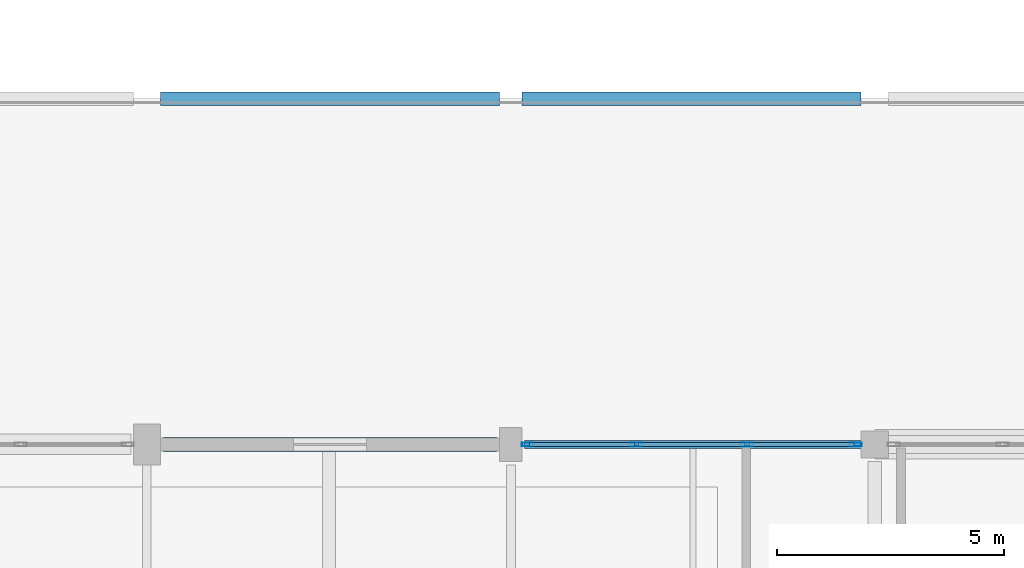
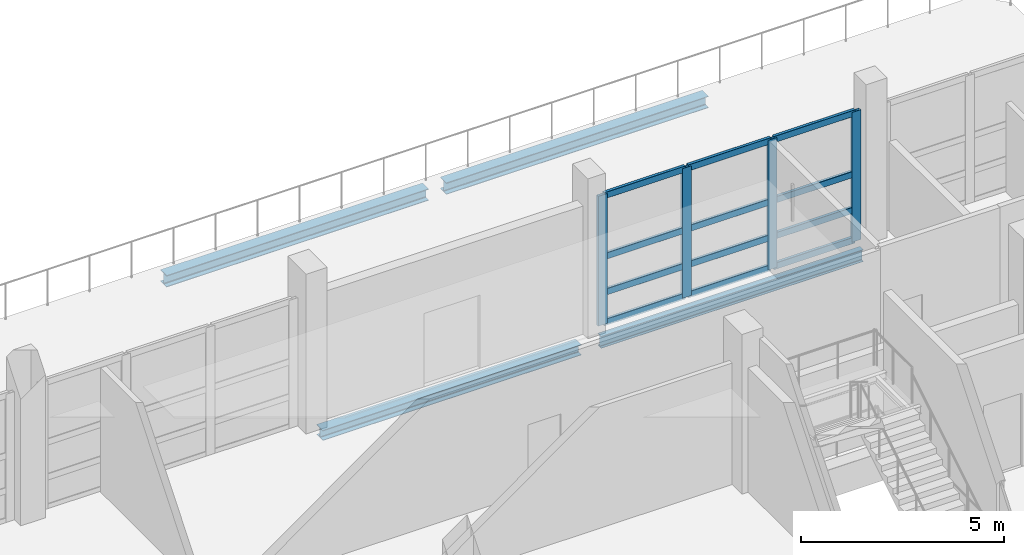
# One storey, part 32 of 147: 16 members, 4 beams, 1 element without a shape of its own.
"""IFC4 building model written with IfcOpenShell, lengths in metres."""

from ifc_helpers import new_model, si_unit, direction, frame, origin, origin_2d, place, context, subcontext, project, spatial, hollow_rectangle, i_section, extrude, material, material_profile, profile_set, type_object, element, aggregate, save


model = new_model("IFC4")

# Units and contexts
model_context = context("Model", 3, precision=1e-05, world=origin(), true_north=direction((0.0, 1.0)))
body_context = subcontext(model_context, "Body", "Model", "MODEL_VIEW")
ifc_project = project(units=[si_unit("LENGTHUNIT", "METRE"), si_unit("AREAUNIT", "SQUARE_METRE"), si_unit("VOLUMEUNIT", "CUBIC_METRE"), si_unit("PLANEANGLEUNIT", "RADIAN"), si_unit("MASSUNIT", "GRAM", prefix="KILO")], contexts=[model_context])

# Site, building, storey
site_placement = place(None, origin())
site = spatial("IfcSite", under=ifc_project, at=site_placement, CompositionType="ELEMENT")
building_placement = place(site_placement, origin())
building = spatial("IfcBuilding", under=site, at=building_placement, Name="Khelvaren Railside Concert Hall", CompositionType="ELEMENT")
storey_placement = place(building_placement, frame((0.0, 0.0, 5.39990234375)))
storey = spatial("IfcBuildingStorey", under=building, at=storey_placement, Name="L01", CompositionType="ELEMENT", Elevation=5.39990234375)

# Curtain wall, members
ifc_material_1 = material(Name="Acoustic laminated crystal facade glass", Category="glass")
curtain_wall_type = type_object("IfcCurtainWallType", Name="CW54", PredefinedType="USERDEFINED", material=ifc_material_1)
curtain_wall_placement = place(storey_placement, origin())
curtain_wall = element("IfcCurtainWall", 1, at=curtain_wall_placement, inside=storey, type_object=curtain_wall_type, Name="Unitised Curtain Wall CW-V3-L01-N-120", ObjectType="UNITISED CURTAIN WALL", PredefinedType="USERDEFINED")
ifc_material_2 = material(Name="Anodised architectural aluminium 6063-T6", Category="aluminium")
ifc_material_profile_1 = material_profile(ifc_material_2, hollow_rectangle(XDim=0.0849609375, YDim=0.260009765625, WallThickness=0.0048828125, InnerFilletRadius=0.0029296875, OuterFilletRadius=0.0048828125, at=origin_2d()), Name="CWM 85x260x5")
ifc_profile_set_1 = profile_set([ifc_material_profile_1], Name="Anodised architectural aluminium 6063-T6")
member_type_1 = type_object("IfcMemberType", Name="CWM40", PredefinedType="MULLION", material=ifc_profile_set_1)
member_1_placement = place(storey_placement, frame((120.3701171875, 15.199951171875, 0.0), z_axis=(0.0, 0.0, 1.0), x_axis=(0.0, 1.0, 0.0)))
member_1 = element("IfcMember", 2, at=member_1_placement, type_object=member_type_1, Name="CW54 mullion 1", PredefinedType="MULLION", context=body_context, shape_type="SweptSolid", body=[
    extrude(hollow_rectangle(XDim=0.0849609375, YDim=0.260009765625, WallThickness=0.0048828125, InnerFilletRadius=0.0029296875, OuterFilletRadius=0.0048828125, at=origin_2d()), origin(), (0.0, 0.0, 1.0), 3.900146484375),
])
member_2_placement = place(storey_placement, frame((122.75927734375, 15.199951171875, 0.0), z_axis=(0.0, 0.0, 1.0), x_axis=(0.0, 1.0, 0.0)))
member_2 = element("IfcMember", 3, at=member_2_placement, type_object=member_type_1, Name="CW54 mullion 2", PredefinedType="MULLION", context=body_context, shape_type="SweptSolid", body=[
    extrude(hollow_rectangle(XDim=0.0849609375, YDim=0.260009765625, WallThickness=0.0048828125, InnerFilletRadius=0.0029296875, OuterFilletRadius=0.0048828125, at=origin_2d()), origin(), (0.0, 0.0, 1.0), 3.900146484375),
])
member_3_placement = place(storey_placement, frame((125.19091796875, 15.199951171875, 0.0), z_axis=(0.0, 0.0, 1.0), x_axis=(0.0, 1.0, 0.0)))
member_3 = element("IfcMember", 4, at=member_3_placement, type_object=member_type_1, Name="CW54 mullion 3", PredefinedType="MULLION", context=body_context, shape_type="SweptSolid", body=[
    extrude(hollow_rectangle(XDim=0.0849609375, YDim=0.260009765625, WallThickness=0.0048828125, InnerFilletRadius=0.0029296875, OuterFilletRadius=0.0048828125, at=origin_2d()), origin(), (0.0, 0.0, 1.0), 3.900146484375),
])
member_4_placement = place(storey_placement, frame((127.580078125, 15.199951171875, 0.0), z_axis=(0.0, 0.0, 1.0), x_axis=(0.0, 1.0, 0.0)))
member_4 = element("IfcMember", 5, at=member_4_placement, type_object=member_type_1, Name="CW54 mullion 4", PredefinedType="MULLION", context=body_context, shape_type="SweptSolid", body=[
    extrude(hollow_rectangle(XDim=0.0849609375, YDim=0.260009765625, WallThickness=0.0048828125, InnerFilletRadius=0.0029296875, OuterFilletRadius=0.0048828125, at=origin_2d()), origin(), (0.0, 0.0, 1.0), 3.900146484375),
])
ifc_material_profile_2 = material_profile(ifc_material_2, hollow_rectangle(XDim=0.0849609375, YDim=0.18994140625, WallThickness=0.0048828125, InnerFilletRadius=0.0029296875, OuterFilletRadius=0.0048828125, at=origin_2d()), Name="CWT 85x190x5")
ifc_profile_set_2 = profile_set([ifc_material_profile_2], Name="Anodised architectural aluminium 6063-T6")
member_type_2 = type_object("IfcMemberType", Name="CWT31", PredefinedType="USERDEFINED", material=ifc_profile_set_2)
member_5_placement = place(storey_placement, frame((120.41259765625, 15.199951171875, 0.04248046875), z_axis=(1.0, 0.0, 0.0), x_axis=(0.0, 1.0, 0.0)))
member_5 = element("IfcMember", 6, at=member_5_placement, type_object=member_type_2, Name="CW54 transom 1.1", ObjectType="TRANSOM", PredefinedType="USERDEFINED", context=body_context, shape_type="SweptSolid", body=[
    extrude(hollow_rectangle(XDim=0.0849609375, YDim=0.18994140625, WallThickness=0.0048828125, InnerFilletRadius=0.0029296875, OuterFilletRadius=0.0048828125, at=origin_2d()), origin(), (0.0, 0.0, 1.0), 2.303955078125),
])
member_6_placement = place(storey_placement, frame((120.41259765625, 15.199951171875, 0.9501953125), z_axis=(1.0, 0.0, 0.0), x_axis=(0.0, 1.0, 0.0)))
member_6 = element("IfcMember", 7, at=member_6_placement, type_object=member_type_2, Name="CW54 transom 1.2", ObjectType="TRANSOM", PredefinedType="USERDEFINED", context=body_context, shape_type="SweptSolid", body=[
    extrude(hollow_rectangle(XDim=0.0849609375, YDim=0.18994140625, WallThickness=0.0048828125, InnerFilletRadius=0.0029296875, OuterFilletRadius=0.0048828125, at=origin_2d()), origin(), (0.0, 0.0, 1.0), 2.303955078125),
])
member_7_placement = place(storey_placement, frame((120.41259765625, 15.199951171875, 2.028076171875), z_axis=(1.0, 0.0, 0.0), x_axis=(0.0, 1.0, 0.0)))
member_7 = element("IfcMember", 8, at=member_7_placement, type_object=member_type_2, Name="CW54 transom 1.3", ObjectType="TRANSOM", PredefinedType="USERDEFINED", context=body_context, shape_type="SweptSolid", body=[
    extrude(hollow_rectangle(XDim=0.0849609375, YDim=0.18994140625, WallThickness=0.0048828125, InnerFilletRadius=0.0029296875, OuterFilletRadius=0.0048828125, at=origin_2d()), origin(), (0.0, 0.0, 1.0), 2.303955078125),
])
member_8_placement = place(storey_placement, frame((120.41259765625, 15.199951171875, 3.857666015625), z_axis=(1.0, 0.0, 0.0), x_axis=(0.0, 1.0, 0.0)))
member_8 = element("IfcMember", 9, at=member_8_placement, type_object=member_type_2, Name="CW54 transom 1.4", ObjectType="TRANSOM", PredefinedType="USERDEFINED", context=body_context, shape_type="SweptSolid", body=[
    extrude(hollow_rectangle(XDim=0.0849609375, YDim=0.18994140625, WallThickness=0.0048828125, InnerFilletRadius=0.0029296875, OuterFilletRadius=0.0048828125, at=origin_2d()), origin(), (0.0, 0.0, 1.0), 2.303955078125),
])
member_9_placement = place(storey_placement, frame((122.8017578125, 15.199951171875, 0.04248046875), z_axis=(1.0, 0.0, 0.0), x_axis=(0.0, 1.0, 0.0)))
member_9 = element("IfcMember", 10, at=member_9_placement, type_object=member_type_2, Name="CW54 transom 2.1", ObjectType="TRANSOM", PredefinedType="USERDEFINED", context=body_context, shape_type="SweptSolid", body=[
    extrude(hollow_rectangle(XDim=0.0849609375, YDim=0.18994140625, WallThickness=0.0048828125, InnerFilletRadius=0.0029296875, OuterFilletRadius=0.0048828125, at=origin_2d()), origin(), (0.0, 0.0, 1.0), 2.3466796875),
])
member_10_placement = place(storey_placement, frame((122.8017578125, 15.199951171875, 0.9501953125), z_axis=(1.0, 0.0, 0.0), x_axis=(0.0, 1.0, 0.0)))
member_10 = element("IfcMember", 11, at=member_10_placement, type_object=member_type_2, Name="CW54 transom 2.2", ObjectType="TRANSOM", PredefinedType="USERDEFINED", context=body_context, shape_type="SweptSolid", body=[
    extrude(hollow_rectangle(XDim=0.0849609375, YDim=0.18994140625, WallThickness=0.0048828125, InnerFilletRadius=0.0029296875, OuterFilletRadius=0.0048828125, at=origin_2d()), origin(), (0.0, 0.0, 1.0), 2.3466796875),
])
member_11_placement = place(storey_placement, frame((122.8017578125, 15.199951171875, 2.028076171875), z_axis=(1.0, 0.0, 0.0), x_axis=(0.0, 1.0, 0.0)))
member_11 = element("IfcMember", 12, at=member_11_placement, type_object=member_type_2, Name="CW54 transom 2.3", ObjectType="TRANSOM", PredefinedType="USERDEFINED", context=body_context, shape_type="SweptSolid", body=[
    extrude(hollow_rectangle(XDim=0.0849609375, YDim=0.18994140625, WallThickness=0.0048828125, InnerFilletRadius=0.0029296875, OuterFilletRadius=0.0048828125, at=origin_2d()), origin(), (0.0, 0.0, 1.0), 2.3466796875),
])
member_12_placement = place(storey_placement, frame((122.8017578125, 15.199951171875, 3.857666015625), z_axis=(1.0, 0.0, 0.0), x_axis=(0.0, 1.0, 0.0)))
member_12 = element("IfcMember", 13, at=member_12_placement, type_object=member_type_2, Name="CW54 transom 2.4", ObjectType="TRANSOM", PredefinedType="USERDEFINED", context=body_context, shape_type="SweptSolid", body=[
    extrude(hollow_rectangle(XDim=0.0849609375, YDim=0.18994140625, WallThickness=0.0048828125, InnerFilletRadius=0.0029296875, OuterFilletRadius=0.0048828125, at=origin_2d()), origin(), (0.0, 0.0, 1.0), 2.3466796875),
])
member_13_placement = place(storey_placement, frame((125.2333984375, 15.199951171875, 0.04248046875), z_axis=(1.0, 0.0, 0.0), x_axis=(0.0, 1.0, 0.0)))
member_13 = element("IfcMember", 14, at=member_13_placement, type_object=member_type_2, Name="CW54 transom 3.1", ObjectType="TRANSOM", PredefinedType="USERDEFINED", context=body_context, shape_type="SweptSolid", body=[
    extrude(hollow_rectangle(XDim=0.0849609375, YDim=0.18994140625, WallThickness=0.0048828125, InnerFilletRadius=0.0029296875, OuterFilletRadius=0.0048828125, at=origin_2d()), origin(), (0.0, 0.0, 1.0), 2.30419921875),
])
member_14_placement = place(storey_placement, frame((125.2333984375, 15.199951171875, 0.9501953125), z_axis=(1.0, 0.0, 0.0), x_axis=(0.0, 1.0, 0.0)))
member_14 = element("IfcMember", 15, at=member_14_placement, type_object=member_type_2, Name="CW54 transom 3.2", ObjectType="TRANSOM", PredefinedType="USERDEFINED", context=body_context, shape_type="SweptSolid", body=[
    extrude(hollow_rectangle(XDim=0.0849609375, YDim=0.18994140625, WallThickness=0.0048828125, InnerFilletRadius=0.0029296875, OuterFilletRadius=0.0048828125, at=origin_2d()), origin(), (0.0, 0.0, 1.0), 2.30419921875),
])
member_15_placement = place(storey_placement, frame((125.2333984375, 15.199951171875, 2.028076171875), z_axis=(1.0, 0.0, 0.0), x_axis=(0.0, 1.0, 0.0)))
member_15 = element("IfcMember", 16, at=member_15_placement, type_object=member_type_2, Name="CW54 transom 3.3", ObjectType="TRANSOM", PredefinedType="USERDEFINED", context=body_context, shape_type="SweptSolid", body=[
    extrude(hollow_rectangle(XDim=0.0849609375, YDim=0.18994140625, WallThickness=0.0048828125, InnerFilletRadius=0.0029296875, OuterFilletRadius=0.0048828125, at=origin_2d()), origin(), (0.0, 0.0, 1.0), 2.30419921875),
])
member_16_placement = place(storey_placement, frame((125.2333984375, 15.199951171875, 3.857666015625), z_axis=(1.0, 0.0, 0.0), x_axis=(0.0, 1.0, 0.0)))
member_16 = element("IfcMember", 17, at=member_16_placement, type_object=member_type_2, Name="CW54 transom 3.4", ObjectType="TRANSOM", PredefinedType="USERDEFINED", context=body_context, shape_type="SweptSolid", body=[
    extrude(hollow_rectangle(XDim=0.0849609375, YDim=0.18994140625, WallThickness=0.0048828125, InnerFilletRadius=0.0029296875, OuterFilletRadius=0.0048828125, at=origin_2d()), origin(), (0.0, 0.0, 1.0), 2.30419921875),
])
aggregate(curtain_wall, [member_1, member_2, member_3, member_4, member_5, member_6, member_7, member_8, member_9, member_10, member_11, member_12, member_13, member_14, member_15, member_16])

# Beams
ifc_material_3 = material(Name="Steel S355", Category="steel")
ifc_material_profile_3 = material_profile(ifc_material_3, i_section(OverallWidth=0.300048828125, OverallDepth=0.35009765625, WebThickness=0.010009765625, FlangeThickness=0.017578125, FilletRadius=0.027099609375, at=origin_2d()), Name="HEA 360")
ifc_profile_set_3 = profile_set([ifc_material_profile_3], Name="Steel S355")
beam_type_1 = type_object("IfcBeamType", Name="SP38", PredefinedType="SPANDREL", material=ifc_profile_set_3)
for number, where, z_axis, x_axis, name in (
    (18, (112.300048828125, 22.800048828125, -0.414794921875), (1.0, 0.0, 0.0), (0.0, 1.0, 0.0), "V3 L01 Terrace Edge Spandrel 7"),
    (19, (120.25, 22.800048828125, -0.414794921875), (1.0, 0.0, 0.0), (0.0, 1.0, 0.0), "V3 L01 Terrace Edge Spandrel 8"),
):
    element("IfcBeam", number, at=place(storey_placement, frame(where, z_axis=z_axis, x_axis=x_axis)), inside=storey, type_object=beam_type_1, Name=name, PredefinedType="SPANDREL", context=body_context, shape_type="SweptSolid", body=[
        extrude(i_section(OverallWidth=0.300048828125, OverallDepth=0.35009765625, WebThickness=0.010009765625, FlangeThickness=0.017578125, FilletRadius=0.027099609375, at=origin_2d()), origin(), (0.0, 0.0, 1.0), 7.449951171875),
    ])
ifc_material_profile_4 = material_profile(ifc_material_3, i_section(OverallWidth=0.300048828125, OverallDepth=0.31005859375, WebThickness=0.009033203125, FlangeThickness=0.015380859375, FilletRadius=0.027099609375, at=origin_2d()), Name="HEA 320")
ifc_profile_set_4 = profile_set([ifc_material_profile_4], Name="Steel S355")
beam_type_2 = type_object("IfcBeamType", Name="SP66", PredefinedType="SPANDREL", material=ifc_profile_set_4)
beam_1_placement = place(storey_placement, frame((112.35009765625, 15.199951171875, -0.454833984375), z_axis=(1.0, 0.0, 0.0), x_axis=(0.0, 1.0, 0.0)))
element("IfcBeam", 20, at=beam_1_placement, inside=storey, type_object=beam_type_2, Name="V3 L01 Spandrel X3.7", PredefinedType="SPANDREL", context=body_context, shape_type="SweptSolid", body=[
    extrude(i_section(OverallWidth=0.300048828125, OverallDepth=0.31005859375, WebThickness=0.009033203125, FlangeThickness=0.015380859375, FilletRadius=0.027099609375, at=origin_2d()), origin(), (0.0, 0.0, 1.0), 7.349853515625),
])
ifc_material_profile_5 = material_profile(ifc_material_3, i_section(OverallWidth=0.169921875, OverallDepth=0.360107421875, WebThickness=0.008056640625, FlangeThickness=0.0126953125, FilletRadius=0.01806640625, at=origin_2d()), Name="IPE 360")
ifc_profile_set_5 = profile_set([ifc_material_profile_5], Name="Steel S355")
beam_type_3 = type_object("IfcBeamType", Name="SP74", PredefinedType="SPANDREL", material=ifc_profile_set_5)
beam_2_placement = place(storey_placement, frame((120.300048828125, 15.199951171875, -0.47998046875), z_axis=(1.0, 0.0, 0.0), x_axis=(0.0, 1.0, 0.0)))
element("IfcBeam", 21, at=beam_2_placement, inside=storey, type_object=beam_type_3, Name="V3 L01 Spandrel X3.8", PredefinedType="SPANDREL", context=body_context, shape_type="SweptSolid", body=[
    extrude(i_section(OverallWidth=0.169921875, OverallDepth=0.360107421875, WebThickness=0.008056640625, FlangeThickness=0.0126953125, FilletRadius=0.01806640625, at=origin_2d()), origin(), (0.0, 0.0, 1.0), 7.449951171875),
])

save(model, "model.ifc")
